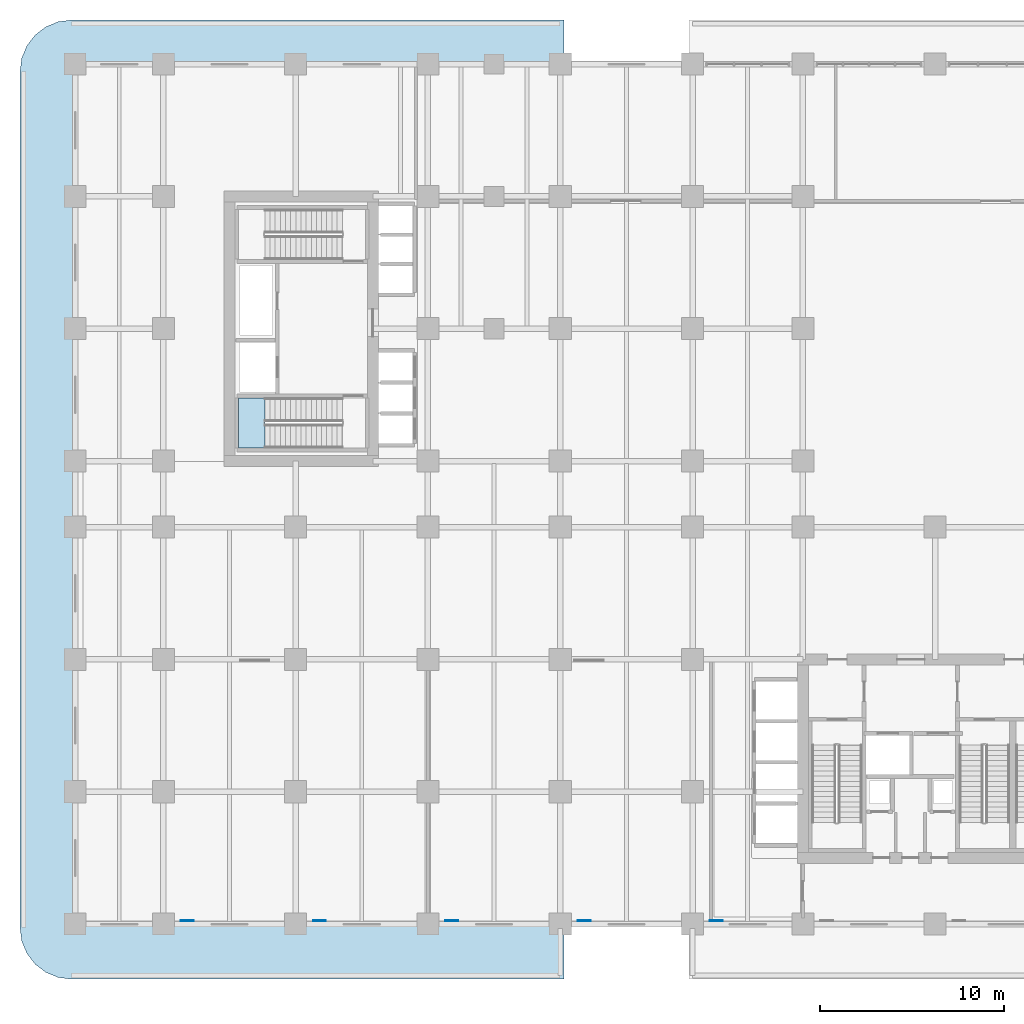
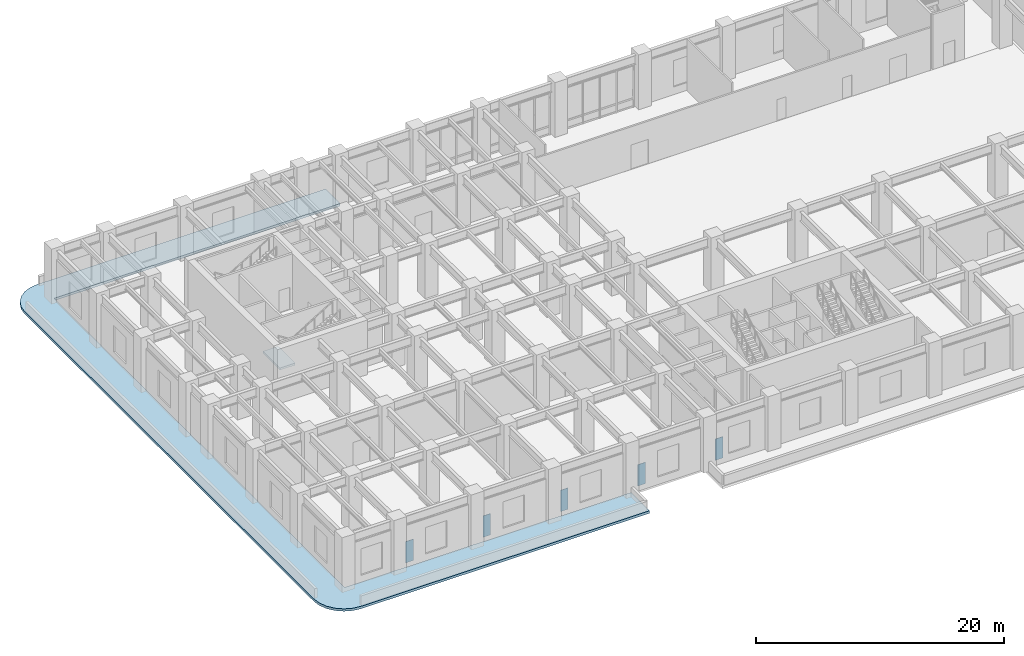
# One storey, part 5 of 20: 5 plates, 2 slabs, 1 element without a shape of its own.
"""IFC4 building model written with IfcOpenShell, lengths in metres."""

from ifc_helpers import new_model, si_unit, derived_unit, direction, frame, origin, origin_2d, place, context, subcontext, project, spatial, polyline, rectangle, outline, extrude, source, transform, mapped, material, layer, layer_set, type_object, type_shapes, element, aggregate, save


model = new_model("IFC4")

# Units and contexts
model_context = context("Model", 3, precision=1e-05, world=origin(), true_north=direction((0.0, 1.0)))
body_context = subcontext(model_context, "Body", "Model", "MODEL_VIEW")
ifc_project = project(units=[si_unit("LENGTHUNIT", "METRE"), si_unit("AREAUNIT", "SQUARE_METRE"), si_unit("VOLUMEUNIT", "CUBIC_METRE"), si_unit("PLANEANGLEUNIT", "RADIAN"), si_unit("MASSUNIT", "GRAM", prefix="KILO"), si_unit("THERMODYNAMICTEMPERATUREUNIT", "KELVIN"), si_unit("POWERUNIT", "WATT"), derived_unit("THERMALTRANSMITTANCEUNIT", [(si_unit("POWERUNIT", "WATT"), 1), (si_unit("AREAUNIT", "SQUARE_METRE"), -1), (si_unit("THERMODYNAMICTEMPERATUREUNIT", "KELVIN"), -1)])], contexts=[model_context])

# Site, building, storey
site_placement = place(None, origin())
site = spatial("IfcSite", under=ifc_project, at=site_placement, CompositionType="ELEMENT")
building_placement = place(site_placement, origin())
building = spatial("IfcBuilding", under=site, at=building_placement, Name="Zahravan Archway Hotel and Residences", CompositionType="ELEMENT")
storey_placement = place(building_placement, frame((0.0, 0.0, 16.199951171875)))
storey = spatial("IfcBuildingStorey", under=building, at=storey_placement, Name="L03", CompositionType="ELEMENT", Elevation=16.199951171875)

# Stair, slab
ifc_material_1 = material(Name="Concrete C50/60", Category="concrete")
stair_type = type_object("IfcStairType", Name="STR-CORE-1300", PredefinedType="HALF_TURN_STAIR", material=ifc_material_1)
stair_placement = place(storey_placement, origin())
stair = element("IfcStair", 1, at=stair_placement, inside=storey, type_object=stair_type, Name="L03 Core B Exit Stair 1", PredefinedType="HALF_TURN_STAIR")
ifc_layer_1 = layer(ifc_material_1, 0.199951171875, Name="Concrete C50/60", Category="concrete")
ifc_layer_set_1 = layer_set([ifc_layer_1], Name="Concrete C50/60")
slab_type_1 = type_object("IfcSlabType", Name="SLB-LND-200", PredefinedType="LANDING", material=ifc_layer_set_1)
slab_1_placement = place(storey_placement, frame((0.0, 0.0, 2.5)))
slab_1 = element("IfcSlab", 2, at=slab_1_placement, type_object=slab_type_1, Name="ST-B1 landing 1", PredefinedType="LANDING", context=body_context, shape_type="SweptSolid", body=[
    extrude(outline(polyline([(5.530029296875, 28.639892578125), (4.10009765625, 28.639892578125), (4.10009765625, 25.89990234375), (5.530029296875, 25.89990234375), (5.530029296875, 28.639892578125)])), origin(), (0.0, 0.0, 1.0), 0.199951171875),
])
aggregate(stair, [slab_1])

# Slab
ifc_material_2 = material(Name="Concrete C45/55", Category="concrete")
ifc_layer_2 = layer(ifc_material_2, 0.239990234375, Name="Concrete C45/55", Category="concrete")
ifc_layer_set_2 = layer_set([ifc_layer_2], Name="Concrete C45/55")
slab_type_2 = type_object("IfcSlabType", Name="SLB-ROOF-240", PredefinedType="ROOF", material=ifc_layer_set_2)
slab_2_placement = place(storey_placement, frame((0.0, 0.0, -0.239990234375)))
element("IfcSlab", 3, at=slab_2_placement, inside=storey, type_object=slab_type_2, Name="Three-Storey Colonnade Portico Entablature Slab 1", PredefinedType="ROOF", context=body_context, shape_type="SweptSolid", body=[
    extrude(outline(polyline([(-5.724609375, -2.904541015625), (-6.39990234375, -2.625), (-6.97998046875, -2.179931640625), (-7.4248046875, -1.60009765625), (-7.70458984375, -0.9248046875), (-7.800048828125, -0.199951171875), (-7.800048828125, 46.39990234375), (-7.70458984375, 47.124755859375), (-7.4248046875, 47.800048828125), (-6.97998046875, 48.3798828125), (-6.39990234375, 48.824951171875), (-5.724609375, 49.1044921875), (-5.0, 49.199951171875), (21.800048828125, 49.199951171875), (21.800048828125, 46.830078125), (-4.800048828125, 46.830078125), (-4.802978515625, 46.829833984375), (-4.805908203125, 46.829345703125), (-4.80859375, 46.82861328125), (-4.8115234375, 46.82763671875), (-4.814208984375, 46.826416015625), (-4.816650390625, 46.824951171875), (-4.819091796875, 46.8232421875), (-4.8212890625, 46.8212890625), (-4.8232421875, 46.819091796875), (-4.824951171875, 46.816650390625), (-4.826416015625, 46.814208984375), (-4.82763671875, 46.8115234375), (-4.82861328125, 46.80859375), (-4.829345703125, 46.805908203125), (-4.829833984375, 46.802978515625), (-4.830078125, 46.800048828125), (-4.830078125, 0.0), (-4.829833984375, -0.0029296875), (-4.829345703125, -0.005859375), (-4.82861328125, -0.0087890625), (-4.82763671875, -0.011474609375), (-4.826416015625, -0.01416015625), (-4.824951171875, -0.0166015625), (-4.8232421875, -0.01904296875), (-4.8212890625, -0.021240234375), (-4.819091796875, -0.023193359375), (-4.816650390625, -0.02490234375), (-4.814208984375, -0.026611328125), (-4.8115234375, -0.027587890625), (-4.80859375, -0.02880859375), (-4.805908203125, -0.029296875), (-4.802978515625, -0.02978515625), (-4.800048828125, -0.030029296875), (21.800048828125, -0.030029296875), (21.800048828125, -3.0), (-5.0, -3.0), (-5.724609375, -2.904541015625)])), origin(), (0.0, 0.0, 1.0), 0.239990234375),
])

# Plates
ifc_material_3 = material(Name="Perforated Cast Bronze Jali Lattice")
ifc_layer_3 = layer(ifc_material_3, 0.044921875, Name="Perforated Cast Bronze Jali Lattice")
ifc_layer_set_3 = layer_set([ifc_layer_3], Name="Perforated Cast Bronze Jali Lattice")
plate_type = type_object("IfcPlateType", Name="PLT-JALI-BAY", PredefinedType="USERDEFINED", material=ifc_layer_set_3)
shared_shape = source(origin(), body_context, "Body", "SweptSolid", [
    extrude(rectangle(XDim=0.699951171875, YDim=0.044921875, at=origin_2d()), origin(), (0.0, 0.0, 1.0), 2.10009765625),
])
type_shapes(plate_type, [shared_shape])
for number, where, z_axis, x_axis, name in (
    (4, (1.300048828125, 0.177978515625, 0.25), (0.0, 0.0, 1.0), (1.0, 0.0, 0.0), "L03 Podium Mughal Jali Pier Screen 01"),
    (5, (8.5, 0.177978515625, 0.25), (0.0, 0.0, 1.0), (1.0, 0.0, 0.0), "L03 Podium Mughal Jali Pier Screen 02"),
    (6, (15.699951171875, 0.177978515625, 0.25), (0.0, 0.0, 1.0), (1.0, 0.0, 0.0), "L03 Podium Mughal Jali Pier Screen 03"),
    (7, (22.89990234375, 0.177978515625, 0.25), (0.0, 0.0, 1.0), (1.0, 0.0, 0.0), "L03 Podium Mughal Jali Pier Screen 04"),
    (8, (30.10009765625, 0.177978515625, 0.25), (0.0, 0.0, 1.0), (1.0, 0.0, 0.0), "L03 Podium Mughal Jali Pier Screen 05"),
):
    element("IfcPlate", number, at=place(storey_placement, frame(where, z_axis=z_axis, x_axis=x_axis)), inside=storey, type_object=plate_type, Name=name, ObjectType="SCREEN", PredefinedType="USERDEFINED", context=body_context, shape_type="MappedRepresentation", body=[
        mapped(shared_shape, transform((0.0, 0.0, 0.0), scale=1.0)),
    ])

save(model, "model.ifc")
